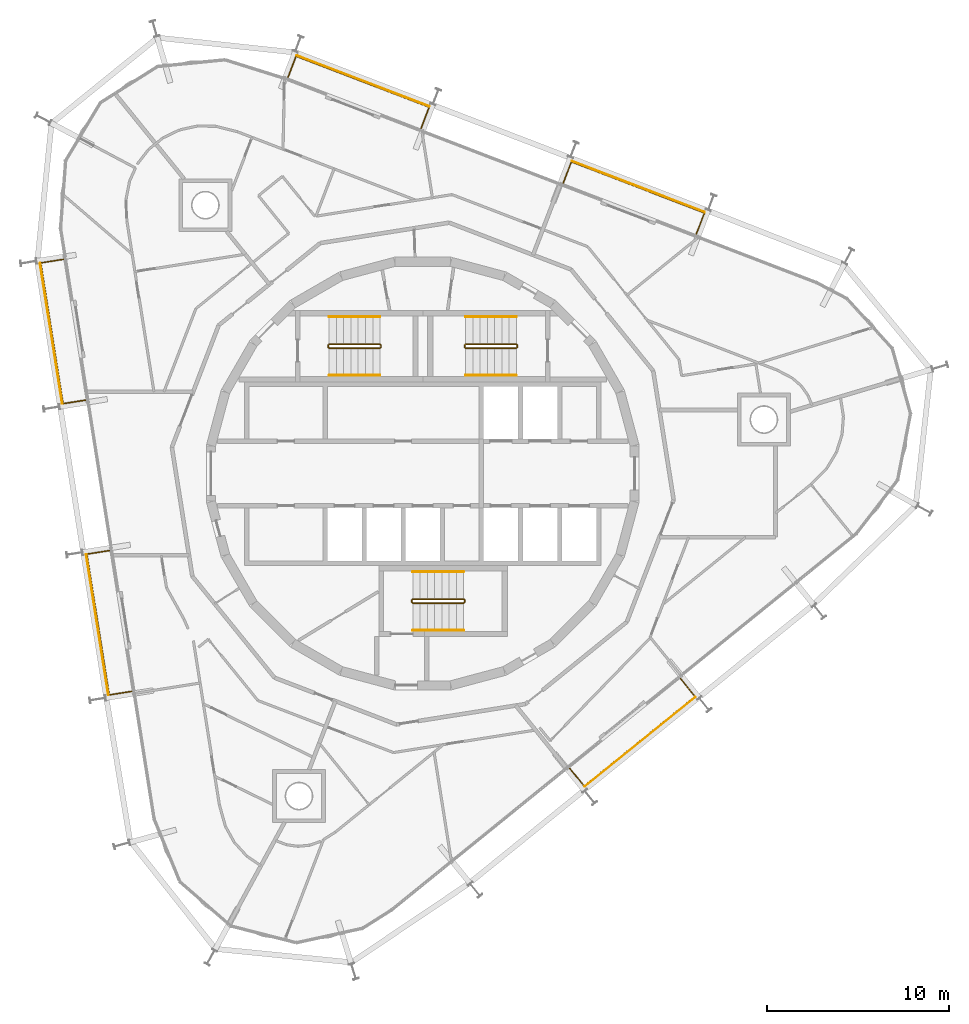
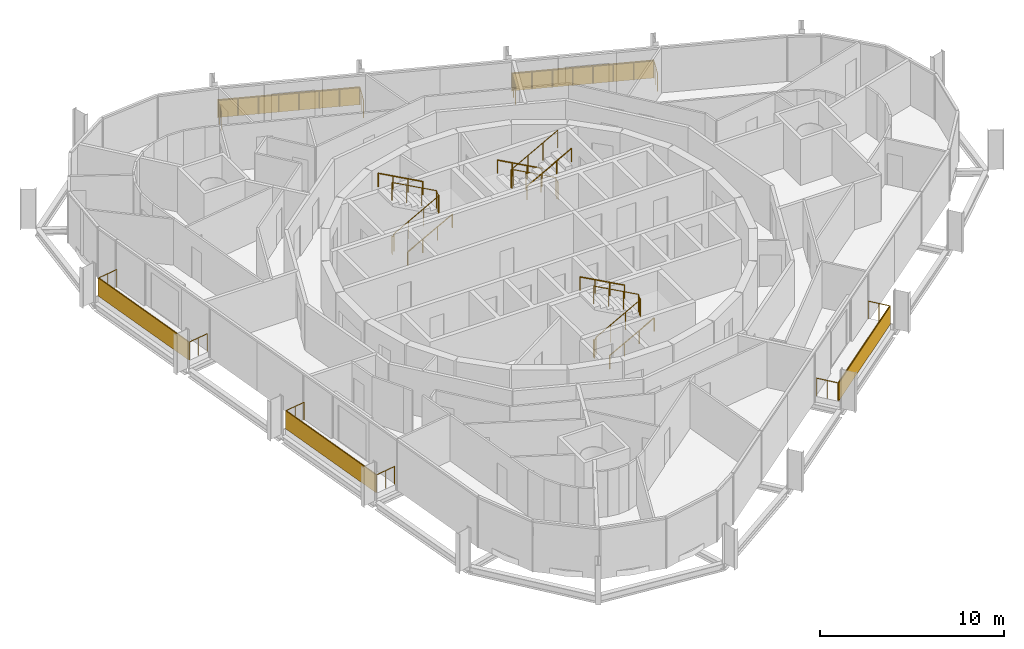
# One storey, part 17 of 17: 14 railings, 5 shading devices.
"""IFC4 building model written with IfcOpenShell, lengths in metres."""

from ifc_helpers import new_model, si_unit, direction, frame, origin, origin_2d, place, context, subcontext, project, spatial, rectangle, circle, extrude, material, layer, layer_set, type_object, element, save


model = new_model("IFC4")

# Units and contexts
model_context = context("Model", 3, precision=1e-05, world=origin(), true_north=direction((0.0, 1.0)))
body_context = subcontext(model_context, "Body", "Model", "MODEL_VIEW")
ifc_project = project(units=[si_unit("LENGTHUNIT", "METRE"), si_unit("AREAUNIT", "SQUARE_METRE"), si_unit("VOLUMEUNIT", "CUBIC_METRE"), si_unit("PLANEANGLEUNIT", "RADIAN"), si_unit("MASSUNIT", "GRAM", prefix="KILO")], contexts=[model_context])

# Site, building, storey
site_placement = place(None, origin())
site = spatial("IfcSite", under=ifc_project, at=site_placement, CompositionType="ELEMENT")
building_placement = place(site_placement, origin())
building = spatial("IfcBuilding", under=site, at=building_placement, Name="Spindle Arch Residences", CompositionType="ELEMENT")
storey_placement = place(building_placement, frame((0.0, 0.0, 287.89990234375)))
storey = spatial("IfcBuildingStorey", under=building, at=storey_placement, Name="L74", CompositionType="ELEMENT", Elevation=287.89990234375)

# Railings
ifc_material_1 = material(Name="Bronze anodised aluminium guard with glass infill", Category="aluminium")
railing_type_1 = type_object("IfcRailingType", Name="Balcony guard 1200", PredefinedType="GUARDRAIL", material=ifc_material_1)
railing_1_placement = place(storey_placement, frame((15.04296875, 13.17041015625, 0.0)))
element("IfcRailing", 1, at=railing_1_placement, inside=storey, type_object=railing_type_1, Name="Guard L74 bay 6", PredefinedType="GUARDRAIL", context=body_context, shape_type="SweptSolid", body=[
    extrude(circle(Radius=0.02392578125, at=origin_2d()), frame((0.0, 0.0, 1.17578125), z_axis=(0.358219824021, 0.933637273077, 0.0), x_axis=(-0.933637273077, 0.358219824021, 0.0)), (0.0, 0.0, 1.0), 1.25),
    extrude(circle(Radius=0.02392578125, at=origin_2d()), frame((0.44775390625, 1.1669921875, 1.17578125), z_axis=(-0.933574226738, 0.358384100054, 0.0), x_axis=(-0.358384100054, -0.933574226738, 0.0)), (0.0, 0.0, 1.0), 7.83740234375),
    extrude(circle(Radius=0.02392578125, at=origin_2d()), frame((-6.869140625, 3.975830078125, 1.17578125), z_axis=(-0.358390063807, -0.933571937327, 0.0), x_axis=(0.933571937327, -0.358390063807, 0.0)), (0.0, 0.0, 1.0), 1.25),
    extrude(circle(Radius=0.02099609375, at=origin_2d()), origin(), (0.0, 0.0, 1.0), 1.15185546875),
    extrude(circle(Radius=0.02099609375, at=origin_2d()), frame((0.223876953125, 0.58349609375, 0.0)), (0.0, 0.0, 1.0), 1.15185546875),
    extrude(circle(Radius=0.02099609375, at=origin_2d()), frame((0.44775390625, 1.1669921875, 0.0)), (0.0, 0.0, 1.0), 1.15185546875),
    extrude(circle(Radius=0.02099609375, at=origin_2d()), frame((-0.597412109375, 1.568359375, 0.0)), (0.0, 0.0, 1.0), 1.15185546875),
    extrude(circle(Radius=0.02099609375, at=origin_2d()), frame((-1.642822265625, 1.969482421875, 0.0)), (0.0, 0.0, 1.0), 1.15185546875),
    extrude(circle(Radius=0.02099609375, at=origin_2d()), frame((-2.68798828125, 2.370849609375, 0.0)), (0.0, 0.0, 1.0), 1.15185546875),
    extrude(circle(Radius=0.02099609375, at=origin_2d()), frame((-3.7333984375, 2.77197265625, 0.0)), (0.0, 0.0, 1.0), 1.15185546875),
    extrude(circle(Radius=0.02099609375, at=origin_2d()), frame((-4.778564453125, 3.17333984375, 0.0)), (0.0, 0.0, 1.0), 1.15185546875),
    extrude(circle(Radius=0.02099609375, at=origin_2d()), frame((-5.823974609375, 3.574462890625, 0.0)), (0.0, 0.0, 1.0), 1.15185546875),
    extrude(circle(Radius=0.02099609375, at=origin_2d()), frame((-6.869140625, 3.975830078125, 0.0)), (0.0, 0.0, 1.0), 1.15185546875),
    extrude(circle(Radius=0.02099609375, at=origin_2d()), frame((-7.09326171875, 3.392333984375, 0.0)), (0.0, 0.0, 1.0), 1.15185546875),
    extrude(circle(Radius=0.02099609375, at=origin_2d()), frame((-7.317138671875, 2.808837890625, 0.0)), (0.0, 0.0, 1.0), 1.15185546875),
])
railing_2_placement = place(storey_placement, frame((-0.09521484375, 18.9814453125, 0.0)))
element("IfcRailing", 2, at=railing_2_placement, inside=storey, type_object=railing_type_1, Name="Guard L74 bay 8", PredefinedType="GUARDRAIL", context=body_context, shape_type="SweptSolid", body=[
    extrude(circle(Radius=0.02392578125, at=origin_2d()), frame((0.0, 0.0, 1.17578125), z_axis=(0.358390063807, 0.933571937327, 0.0), x_axis=(-0.933571937327, 0.358390063807, 0.0)), (0.0, 0.0, 1.0), 1.25),
    extrude(circle(Radius=0.02392578125, at=origin_2d()), frame((0.447998046875, 1.1669921875, 1.17578125), z_axis=(-0.93357822748, 0.358373678128, 0.0), x_axis=(-0.358373678128, -0.93357822748, 0.0)), (0.0, 0.0, 1.0), 7.837646484375),
    extrude(circle(Radius=0.02392578125, at=origin_2d()), frame((-6.869140625, 3.975830078125, 1.17578125), z_axis=(-0.358390063807, -0.933571937327, 0.0), x_axis=(0.933571937327, -0.358390063807, 0.0)), (0.0, 0.0, 1.0), 1.25),
    extrude(circle(Radius=0.02099609375, at=origin_2d()), origin(), (0.0, 0.0, 1.0), 1.15185546875),
    extrude(circle(Radius=0.02099609375, at=origin_2d()), frame((0.22412109375, 0.58349609375, 0.0)), (0.0, 0.0, 1.0), 1.15185546875),
    extrude(circle(Radius=0.02099609375, at=origin_2d()), frame((0.447998046875, 1.1669921875, 0.0)), (0.0, 0.0, 1.0), 1.15185546875),
    extrude(circle(Radius=0.02099609375, at=origin_2d()), frame((-0.597412109375, 1.568359375, 0.0)), (0.0, 0.0, 1.0), 1.15185546875),
    extrude(circle(Radius=0.02099609375, at=origin_2d()), frame((-1.642578125, 1.969482421875, 0.0)), (0.0, 0.0, 1.0), 1.15185546875),
    extrude(circle(Radius=0.02099609375, at=origin_2d()), frame((-2.68798828125, 2.370849609375, 0.0)), (0.0, 0.0, 1.0), 1.15185546875),
    extrude(circle(Radius=0.02099609375, at=origin_2d()), frame((-3.733154296875, 2.77197265625, 0.0)), (0.0, 0.0, 1.0), 1.15185546875),
    extrude(circle(Radius=0.02099609375, at=origin_2d()), frame((-4.778564453125, 3.17333984375, 0.0)), (0.0, 0.0, 1.0), 1.15185546875),
    extrude(circle(Radius=0.02099609375, at=origin_2d()), frame((-5.82373046875, 3.574462890625, 0.0)), (0.0, 0.0, 1.0), 1.15185546875),
    extrude(circle(Radius=0.02099609375, at=origin_2d()), frame((-6.869140625, 3.975830078125, 0.0)), (0.0, 0.0, 1.0), 1.15185546875),
    extrude(circle(Radius=0.02099609375, at=origin_2d()), frame((-7.09326171875, 3.392333984375, 0.0)), (0.0, 0.0, 1.0), 1.15185546875),
    extrude(circle(Radius=0.02099609375, at=origin_2d()), frame((-7.317138671875, 2.808837890625, 0.0)), (0.0, 0.0, 1.0), 1.15185546875),
])
railing_3_placement = place(storey_placement, frame((-19.77294921875, 11.78076171875, 0.0)))
element("IfcRailing", 3, at=railing_3_placement, inside=storey, type_object=railing_type_1, Name="Guard L74 bay 12", PredefinedType="GUARDRAIL", context=body_context, shape_type="SweptSolid", body=[
    extrude(circle(Radius=0.02392578125, at=origin_2d()), frame((0.0, 0.0, 1.17578125), z_axis=(-0.987686835152, -0.156443969736, 0.0), x_axis=(0.156443969736, -0.987686835152, 0.0)), (0.0, 0.0, 1.0), 1.25),
    extrude(circle(Radius=0.02392578125, at=origin_2d()), frame((-1.234619140625, -0.195556640625, 1.17578125), z_axis=(0.156437642141, -0.987687837387, 0.0), x_axis=(0.987687837387, 0.156437642141, 0.0)), (0.0, 0.0, 1.0), 7.83740234375),
    extrude(circle(Radius=0.02392578125, at=origin_2d()), frame((-0.008544921875, -7.9365234375, 1.17578125), z_axis=(0.987686835152, 0.156443969736, 0.0), x_axis=(-0.156443969736, 0.987686835152, 0.0)), (0.0, 0.0, 1.0), 1.25),
    extrude(circle(Radius=0.02099609375, at=origin_2d()), origin(), (0.0, 0.0, 1.0), 1.15185546875),
    extrude(circle(Radius=0.02099609375, at=origin_2d()), frame((-0.6171875, -0.09765625, 0.0)), (0.0, 0.0, 1.0), 1.15185546875),
    extrude(circle(Radius=0.02099609375, at=origin_2d()), frame((-1.234619140625, -0.195556640625, 0.0)), (0.0, 0.0, 1.0), 1.15185546875),
    extrude(circle(Radius=0.02099609375, at=origin_2d()), frame((-1.0595703125, -1.301513671875, 0.0)), (0.0, 0.0, 1.0), 1.15185546875),
    extrude(circle(Radius=0.02099609375, at=origin_2d()), frame((-0.88427734375, -2.4072265625, 0.0)), (0.0, 0.0, 1.0), 1.15185546875),
    extrude(circle(Radius=0.02099609375, at=origin_2d()), frame((-0.709228515625, -3.51318359375, 0.0)), (0.0, 0.0, 1.0), 1.15185546875),
    extrude(circle(Radius=0.02099609375, at=origin_2d()), frame((-0.533935546875, -4.618896484375, 0.0)), (0.0, 0.0, 1.0), 1.15185546875),
    extrude(circle(Radius=0.02099609375, at=origin_2d()), frame((-0.35888671875, -5.724853515625, 0.0)), (0.0, 0.0, 1.0), 1.15185546875),
    extrude(circle(Radius=0.02099609375, at=origin_2d()), frame((-0.18359375, -6.83056640625, 0.0)), (0.0, 0.0, 1.0), 1.15185546875),
    extrude(circle(Radius=0.02099609375, at=origin_2d()), frame((-0.008544921875, -7.9365234375, 0.0)), (0.0, 0.0, 1.0), 1.15185546875),
    extrude(circle(Radius=0.02099609375, at=origin_2d()), frame((0.60888671875, -7.8388671875, 0.0)), (0.0, 0.0, 1.0), 1.15185546875),
    extrude(circle(Radius=0.02099609375, at=origin_2d()), frame((1.22607421875, -7.740966796875, 0.0)), (0.0, 0.0, 1.0), 1.15185546875),
])
railing_4_placement = place(storey_placement, frame((-17.236328125, -4.23486328125, 0.0)))
element("IfcRailing", 4, at=railing_4_placement, inside=storey, type_object=railing_type_1, Name="Guard L74 bay 14", PredefinedType="GUARDRAIL", context=body_context, shape_type="SweptSolid", body=[
    extrude(circle(Radius=0.02392578125, at=origin_2d()), frame((0.0, 0.0, 1.17578125), z_axis=(-0.987686835152, -0.156443969736, 0.0), x_axis=(0.156443969736, -0.987686835152, 0.0)), (0.0, 0.0, 1.0), 1.25),
    extrude(circle(Radius=0.02392578125, at=origin_2d()), frame((-1.234619140625, -0.195556640625, 1.17578125), z_axis=(0.156437642141, -0.987687837387, 0.0), x_axis=(0.987687837387, 0.156437642141, 0.0)), (0.0, 0.0, 1.0), 7.83740234375),
    extrude(circle(Radius=0.02392578125, at=origin_2d()), frame((-0.008544921875, -7.9365234375, 1.17578125), z_axis=(0.987686835152, 0.156443969736, 0.0), x_axis=(-0.156443969736, 0.987686835152, 0.0)), (0.0, 0.0, 1.0), 1.25),
    extrude(circle(Radius=0.02099609375, at=origin_2d()), origin(), (0.0, 0.0, 1.0), 1.15185546875),
    extrude(circle(Radius=0.02099609375, at=origin_2d()), frame((-0.6171875, -0.09765625, 0.0)), (0.0, 0.0, 1.0), 1.15185546875),
    extrude(circle(Radius=0.02099609375, at=origin_2d()), frame((-1.234619140625, -0.195556640625, 0.0)), (0.0, 0.0, 1.0), 1.15185546875),
    extrude(circle(Radius=0.02099609375, at=origin_2d()), frame((-1.0595703125, -1.301513671875, 0.0)), (0.0, 0.0, 1.0), 1.15185546875),
    extrude(circle(Radius=0.02099609375, at=origin_2d()), frame((-0.88427734375, -2.4072265625, 0.0)), (0.0, 0.0, 1.0), 1.15185546875),
    extrude(circle(Radius=0.02099609375, at=origin_2d()), frame((-0.709228515625, -3.51318359375, 0.0)), (0.0, 0.0, 1.0), 1.15185546875),
    extrude(circle(Radius=0.02099609375, at=origin_2d()), frame((-0.533935546875, -4.618896484375, 0.0)), (0.0, 0.0, 1.0), 1.15185546875),
    extrude(circle(Radius=0.02099609375, at=origin_2d()), frame((-0.35888671875, -5.724853515625, 0.0)), (0.0, 0.0, 1.0), 1.15185546875),
    extrude(circle(Radius=0.02099609375, at=origin_2d()), frame((-0.18359375, -6.83056640625, 0.0)), (0.0, 0.0, 1.0), 1.15185546875),
    extrude(circle(Radius=0.02099609375, at=origin_2d()), frame((-0.008544921875, -7.9365234375, 0.0)), (0.0, 0.0, 1.0), 1.15185546875),
    extrude(circle(Radius=0.02099609375, at=origin_2d()), frame((0.60888671875, -7.8388671875, 0.0)), (0.0, 0.0, 1.0), 1.15185546875),
    extrude(circle(Radius=0.02099609375, at=origin_2d()), frame((1.22607421875, -7.740966796875, 0.0)), (0.0, 0.0, 1.0), 1.15185546875),
])
railing_5_placement = place(storey_placement, frame((8.0849609375, -16.211181640625, 0.0)))
element("IfcRailing", 5, at=railing_5_placement, inside=storey, type_object=railing_type_1, Name="Guard L74 bay 20", PredefinedType="GUARDRAIL", context=body_context, shape_type="SweptSolid", body=[
    extrude(circle(Radius=0.02392578125, at=origin_2d()), frame((0.0, 0.0, 1.17578125), z_axis=(0.629422920791, -0.77706292331, 0.0), x_axis=(0.77706292331, 0.629422920791, 0.0)), (0.0, 0.0, 1.0), 1.250244140625),
    extrude(circle(Radius=0.02392578125, at=origin_2d()), frame((0.786865234375, -0.971435546875, 1.17578125), z_axis=(0.777138223033, 0.629329947087, 0.0), x_axis=(-0.629329947087, 0.777138223033, 0.0)), (0.0, 0.0, 1.0), 7.83740234375),
    extrude(circle(Radius=0.02392578125, at=origin_2d()), frame((6.877685546875, 3.9609375, 1.17578125), z_axis=(-0.629304977104, 0.777158443171, 0.0), x_axis=(-0.777158443171, -0.629304977104, 0.0)), (0.0, 0.0, 1.0), 1.25),
    extrude(circle(Radius=0.02099609375, at=origin_2d()), origin(), (0.0, 0.0, 1.0), 1.15185546875),
    extrude(circle(Radius=0.02099609375, at=origin_2d()), frame((0.3935546875, -0.48583984375, 0.0)), (0.0, 0.0, 1.0), 1.15185546875),
    extrude(circle(Radius=0.02099609375, at=origin_2d()), frame((0.786865234375, -0.971435546875, 0.0)), (0.0, 0.0, 1.0), 1.15185546875),
    extrude(circle(Radius=0.02099609375, at=origin_2d()), frame((1.656982421875, -0.266845703125, 0.0)), (0.0, 0.0, 1.0), 1.15185546875),
    extrude(circle(Radius=0.02099609375, at=origin_2d()), frame((2.527099609375, 0.437744140625, 0.0)), (0.0, 0.0, 1.0), 1.15185546875),
    extrude(circle(Radius=0.02099609375, at=origin_2d()), frame((3.397216796875, 1.142333984375, 0.0)), (0.0, 0.0, 1.0), 1.15185546875),
    extrude(circle(Radius=0.02099609375, at=origin_2d()), frame((4.267333984375, 1.84716796875, 0.0)), (0.0, 0.0, 1.0), 1.15185546875),
    extrude(circle(Radius=0.02099609375, at=origin_2d()), frame((5.137451171875, 2.5517578125, 0.0)), (0.0, 0.0, 1.0), 1.15185546875),
    extrude(circle(Radius=0.02099609375, at=origin_2d()), frame((6.007568359375, 3.25634765625, 0.0)), (0.0, 0.0, 1.0), 1.15185546875),
    extrude(circle(Radius=0.02099609375, at=origin_2d()), frame((6.877685546875, 3.9609375, 0.0)), (0.0, 0.0, 1.0), 1.15185546875),
    extrude(circle(Radius=0.02099609375, at=origin_2d()), frame((6.484375, 4.44677734375, 0.0)), (0.0, 0.0, 1.0), 1.15185546875),
    extrude(circle(Radius=0.02099609375, at=origin_2d()), frame((6.091064453125, 4.932373046875, 0.0)), (0.0, 0.0, 1.0), 1.15185546875),
])

# Shading devices
ifc_material_2 = material(Name="Bronze perforated cobogo screen")
ifc_layer = layer(ifc_material_2, 0.0390625)
ifc_layer_set = layer_set([ifc_layer], Name="Cobogo screen 1200")
shading_device_type = type_object("IfcShadingDeviceType", Name="Cobogo screen 1200", PredefinedType="USERDEFINED", material=ifc_layer_set)
for number, where, z_axis, x_axis, name in (
    (6, (11.846923828125, 15.779541015625, 0.0), (0.0, 0.0, 1.0), (-0.933580426497, 0.358367949545, 0.0), "Cobogo screen L74 bay 6"),
    (7, (-3.291259765625, 21.590576171875, 0.0), (0.0, 0.0, 1.0), (-0.933580426497, 0.358367949545, 0.0), "Cobogo screen L74 bay 8"),
    (8, (-20.4345703125, 7.708251953125, 0.0), (0.0, 0.0, 1.0), (0.15643446504, -0.987688340595, 0.0), "Cobogo screen L74 bay 12"),
    (9, (-17.89794921875, -8.30712890625, 0.0), (0.0, 0.0, 1.0), (0.15643446504, -0.987688340595, 0.0), "Cobogo screen L74 bay 14"),
    (10, (11.942626953125, -14.748046875, 0.0), (0.0, 0.0, 1.0), (0.777145961457, 0.62932039105, 0.0), "Cobogo screen L74 bay 20"),
):
    element("IfcShadingDevice", number, at=place(storey_placement, frame(where, z_axis=z_axis, x_axis=x_axis)), inside=storey, type_object=shading_device_type, Name=name, ObjectType="SCREEN", PredefinedType="USERDEFINED", context=body_context, shape_type="SweptSolid", body=[
        extrude(rectangle(XDim=7.837646484375, YDim=0.0390625, at=origin_2d()), origin(), (0.0, 0.0, 1.0), 1.199951171875),
    ])

# Railings
ifc_material_3 = material(Name="Steel, painted", Category="steel")
railing_type_2 = type_object("IfcRailingType", Name="Stair guard 1100", PredefinedType="GUARDRAIL", material=ifc_material_3)
railing_6_placement = place(storey_placement, frame((5.14990234375, 6.89990234375, 3.5)))
element("IfcRailing", 11, at=railing_6_placement, inside=storey, type_object=railing_type_2, Name="L74 ST1 stair guard 1", PredefinedType="GUARDRAIL", context=body_context, shape_type="SweptSolid", body=[
    extrude(circle(Radius=0.02392578125, at=origin_2d()), frame((0.0, 0.0, 1.17578125), z_axis=(-0.877357048833, 0.0, -0.479838106931), x_axis=(0.0, -1.0, 0.0)), (0.0, 0.0, 1.0), 3.191162109375),
    extrude(circle(Radius=0.02392578125, at=origin_2d()), frame((-2.7998046875, 0.0, -0.35546875), z_axis=(-0.217683172539, 0.217683172539, -0.951434744366), x_axis=(-0.707106781187, -0.707106781187, 0.0)), (0.0, 0.0, 1.0), 0.22998046875),
    extrude(circle(Radius=0.02392578125, at=origin_2d()), frame((-2.849853515625, 0.050048828125, -0.57421875), z_axis=(0.0, 1.0, 0.0), x_axis=(-1.0, 0.0, 0.0)), (0.0, 0.0, 1.0), 0.1201171875),
    extrude(circle(Radius=0.02392578125, at=origin_2d()), frame((-2.849853515625, 0.170166015625, -0.57421875), z_axis=(0.707106781187, 0.707106781187, 0.0), x_axis=(-0.707106781187, 0.707106781187, 0.0)), (0.0, 0.0, 1.0), 0.07080078125),
    extrude(circle(Radius=0.02392578125, at=origin_2d()), frame((-2.7998046875, 0.22021484375, -0.57421875), z_axis=(0.877357048833, 0.0, -0.479838106931), x_axis=(0.0, 1.0, 0.0)), (0.0, 0.0, 1.0), 3.191162109375),
    extrude(circle(Radius=0.02392578125, at=origin_2d()), frame((0.0, 0.22021484375, -2.10546875), z_axis=(0.217683172539, -0.217683172539, -0.951434744366), x_axis=(0.707106781187, 0.707106781187, 0.0)), (0.0, 0.0, 1.0), 0.22998046875),
    extrude(circle(Radius=0.02392578125, at=origin_2d()), frame((0.050048828125, 0.170166015625, -2.32421875), z_axis=(0.0, -1.0, 0.0), x_axis=(1.0, 0.0, 0.0)), (0.0, 0.0, 1.0), 0.1201171875),
    extrude(circle(Radius=0.02099609375, at=origin_2d()), origin(), (0.0, 0.0, 1.0), 1.15185546875),
    extrude(circle(Radius=0.02099609375, at=origin_2d()), frame((-0.933349609375, 0.0, -0.510498046875)), (0.0, 0.0, 1.0), 1.15185546875),
    extrude(circle(Radius=0.02099609375, at=origin_2d()), frame((-1.866455078125, 0.0, -1.020751953125)), (0.0, 0.0, 1.0), 1.15185546875),
    extrude(circle(Radius=0.02099609375, at=origin_2d()), frame((-2.7998046875, 0.0, -1.53125)), (0.0, 0.0, 1.0), 1.15185546875),
    extrude(circle(Radius=0.02099609375, at=origin_2d()), frame((-2.849853515625, 0.050048828125, -1.75)), (0.0, 0.0, 1.0), 1.15185546875),
    extrude(circle(Radius=0.02099609375, at=origin_2d()), frame((-2.849853515625, 0.170166015625, -1.75)), (0.0, 0.0, 1.0), 1.15185546875),
    extrude(circle(Radius=0.02099609375, at=origin_2d()), frame((-2.7998046875, 0.22021484375, -1.75)), (0.0, 0.0, 1.0), 1.15185546875),
    extrude(circle(Radius=0.02099609375, at=origin_2d()), frame((-1.866455078125, 0.22021484375, -2.260498046875)), (0.0, 0.0, 1.0), 1.15185546875),
    extrude(circle(Radius=0.02099609375, at=origin_2d()), frame((-0.933349609375, 0.22021484375, -2.770751953125)), (0.0, 0.0, 1.0), 1.15185546875),
    extrude(circle(Radius=0.02099609375, at=origin_2d()), frame((0.0, 0.22021484375, -3.28125)), (0.0, 0.0, 1.0), 1.15185546875),
    extrude(circle(Radius=0.02099609375, at=origin_2d()), frame((0.050048828125, 0.170166015625, -3.5)), (0.0, 0.0, 1.0), 1.15185546875),
    extrude(circle(Radius=0.02099609375, at=origin_2d()), frame((0.050048828125, 0.050048828125, -3.5)), (0.0, 0.0, 1.0), 1.15185546875),
])
railing_7_placement = place(storey_placement, frame((-5.14990234375, 7.1201171875, 3.5)))
element("IfcRailing", 12, at=railing_7_placement, inside=storey, type_object=railing_type_2, Name="L74 ST2 stair guard 1", PredefinedType="GUARDRAIL", context=body_context, shape_type="SweptSolid", body=[
    extrude(circle(Radius=0.02392578125, at=origin_2d()), frame((0.0, 0.0, 1.17578125), z_axis=(0.877357048833, 0.0, -0.479838106931), x_axis=(0.0, 1.0, 0.0)), (0.0, 0.0, 1.0), 3.191162109375),
    extrude(circle(Radius=0.02392578125, at=origin_2d()), frame((2.7998046875, 0.0, -0.35546875), z_axis=(0.217683172539, -0.217683172539, -0.951434744366), x_axis=(0.707106781187, 0.707106781187, 0.0)), (0.0, 0.0, 1.0), 0.22998046875),
    extrude(circle(Radius=0.02392578125, at=origin_2d()), frame((2.849853515625, -0.050048828125, -0.57421875), z_axis=(0.0, -1.0, 0.0), x_axis=(1.0, 0.0, 0.0)), (0.0, 0.0, 1.0), 0.1201171875),
    extrude(circle(Radius=0.02392578125, at=origin_2d()), frame((2.849853515625, -0.170166015625, -0.57421875), z_axis=(-0.707106781187, -0.707106781187, 0.0), x_axis=(0.707106781187, -0.707106781187, 0.0)), (0.0, 0.0, 1.0), 0.07080078125),
    extrude(circle(Radius=0.02392578125, at=origin_2d()), frame((2.7998046875, -0.22021484375, -0.57421875), z_axis=(-0.877357048833, 0.0, -0.479838106931), x_axis=(0.0, -1.0, 0.0)), (0.0, 0.0, 1.0), 3.191162109375),
    extrude(circle(Radius=0.02392578125, at=origin_2d()), frame((0.0, -0.22021484375, -2.10546875), z_axis=(-0.217683172539, 0.217683172539, -0.951434744366), x_axis=(-0.707106781187, -0.707106781187, 0.0)), (0.0, 0.0, 1.0), 0.22998046875),
    extrude(circle(Radius=0.02392578125, at=origin_2d()), frame((-0.050048828125, -0.170166015625, -2.32421875), z_axis=(0.0, 1.0, 0.0), x_axis=(-1.0, 0.0, 0.0)), (0.0, 0.0, 1.0), 0.1201171875),
    extrude(circle(Radius=0.02099609375, at=origin_2d()), origin(), (0.0, 0.0, 1.0), 1.15185546875),
    extrude(circle(Radius=0.02099609375, at=origin_2d()), frame((0.933349609375, 0.0, -0.510498046875)), (0.0, 0.0, 1.0), 1.15185546875),
    extrude(circle(Radius=0.02099609375, at=origin_2d()), frame((1.866455078125, 0.0, -1.020751953125)), (0.0, 0.0, 1.0), 1.15185546875),
    extrude(circle(Radius=0.02099609375, at=origin_2d()), frame((2.7998046875, 0.0, -1.53125)), (0.0, 0.0, 1.0), 1.15185546875),
    extrude(circle(Radius=0.02099609375, at=origin_2d()), frame((2.849853515625, -0.050048828125, -1.75)), (0.0, 0.0, 1.0), 1.15185546875),
    extrude(circle(Radius=0.02099609375, at=origin_2d()), frame((2.849853515625, -0.170166015625, -1.75)), (0.0, 0.0, 1.0), 1.15185546875),
    extrude(circle(Radius=0.02099609375, at=origin_2d()), frame((2.7998046875, -0.22021484375, -1.75)), (0.0, 0.0, 1.0), 1.15185546875),
    extrude(circle(Radius=0.02099609375, at=origin_2d()), frame((1.866455078125, -0.22021484375, -2.260498046875)), (0.0, 0.0, 1.0), 1.15185546875),
    extrude(circle(Radius=0.02099609375, at=origin_2d()), frame((0.933349609375, -0.22021484375, -2.770751953125)), (0.0, 0.0, 1.0), 1.15185546875),
    extrude(circle(Radius=0.02099609375, at=origin_2d()), frame((0.0, -0.22021484375, -3.28125)), (0.0, 0.0, 1.0), 1.15185546875),
    extrude(circle(Radius=0.02099609375, at=origin_2d()), frame((-0.050048828125, -0.170166015625, -3.5)), (0.0, 0.0, 1.0), 1.15185546875),
    extrude(circle(Radius=0.02099609375, at=origin_2d()), frame((-0.050048828125, -0.050048828125, -3.5)), (0.0, 0.0, 1.0), 1.15185546875),
])
railing_8_placement = place(storey_placement, frame((-0.550048828125, -6.89990234375, 3.5)))
element("IfcRailing", 13, at=railing_8_placement, inside=storey, type_object=railing_type_2, Name="L74 ST3 stair guard 1", PredefinedType="GUARDRAIL", context=body_context, shape_type="SweptSolid", body=[
    extrude(circle(Radius=0.02392578125, at=origin_2d()), frame((0.0, 0.0, 1.17578125), z_axis=(0.877374661878, 0.0, -0.479805901063), x_axis=(0.0, 1.0, 0.0)), (0.0, 0.0, 1.0), 3.19140625),
    extrude(circle(Radius=0.02392578125, at=origin_2d()), frame((2.800048828125, 0.0, -0.35546875), z_axis=(0.217683172539, -0.217683172539, -0.951434744366), x_axis=(0.707106781187, 0.707106781187, 0.0)), (0.0, 0.0, 1.0), 0.22998046875),
    extrude(circle(Radius=0.02392578125, at=origin_2d()), frame((2.85009765625, -0.050048828125, -0.57421875), z_axis=(0.0, -1.0, 0.0), x_axis=(1.0, 0.0, 0.0)), (0.0, 0.0, 1.0), 0.1201171875),
    extrude(circle(Radius=0.02392578125, at=origin_2d()), frame((2.85009765625, -0.170166015625, -0.57421875), z_axis=(-0.707106781187, -0.707106781187, 0.0), x_axis=(0.707106781187, -0.707106781187, 0.0)), (0.0, 0.0, 1.0), 0.07080078125),
    extrude(circle(Radius=0.02392578125, at=origin_2d()), frame((2.800048828125, -0.22021484375, -0.57421875), z_axis=(-0.877374661878, 0.0, -0.479805901063), x_axis=(0.0, -1.0, 0.0)), (0.0, 0.0, 1.0), 3.19140625),
    extrude(circle(Radius=0.02392578125, at=origin_2d()), frame((0.0, -0.22021484375, -2.10546875), z_axis=(-0.217683172539, 0.217683172539, -0.951434744366), x_axis=(-0.707106781187, -0.707106781187, 0.0)), (0.0, 0.0, 1.0), 0.22998046875),
    extrude(circle(Radius=0.02392578125, at=origin_2d()), frame((-0.050048828125, -0.170166015625, -2.32421875), z_axis=(0.0, 1.0, 0.0), x_axis=(-1.0, 0.0, 0.0)), (0.0, 0.0, 1.0), 0.1201171875),
    extrude(circle(Radius=0.02099609375, at=origin_2d()), origin(), (0.0, 0.0, 1.0), 1.15185546875),
    extrude(circle(Radius=0.02099609375, at=origin_2d()), frame((0.933349609375, 0.0, -0.510498046875)), (0.0, 0.0, 1.0), 1.15185546875),
    extrude(circle(Radius=0.02099609375, at=origin_2d()), frame((1.86669921875, 0.0, -1.020751953125)), (0.0, 0.0, 1.0), 1.15185546875),
    extrude(circle(Radius=0.02099609375, at=origin_2d()), frame((2.800048828125, 0.0, -1.53125)), (0.0, 0.0, 1.0), 1.15185546875),
    extrude(circle(Radius=0.02099609375, at=origin_2d()), frame((2.85009765625, -0.050048828125, -1.75)), (0.0, 0.0, 1.0), 1.15185546875),
    extrude(circle(Radius=0.02099609375, at=origin_2d()), frame((2.85009765625, -0.170166015625, -1.75)), (0.0, 0.0, 1.0), 1.15185546875),
    extrude(circle(Radius=0.02099609375, at=origin_2d()), frame((2.800048828125, -0.22021484375, -1.75)), (0.0, 0.0, 1.0), 1.15185546875),
    extrude(circle(Radius=0.02099609375, at=origin_2d()), frame((1.86669921875, -0.22021484375, -2.260498046875)), (0.0, 0.0, 1.0), 1.15185546875),
    extrude(circle(Radius=0.02099609375, at=origin_2d()), frame((0.933349609375, -0.22021484375, -2.770751953125)), (0.0, 0.0, 1.0), 1.15185546875),
    extrude(circle(Radius=0.02099609375, at=origin_2d()), frame((0.0, -0.22021484375, -3.28125)), (0.0, 0.0, 1.0), 1.15185546875),
    extrude(circle(Radius=0.02099609375, at=origin_2d()), frame((-0.050048828125, -0.170166015625, -3.5)), (0.0, 0.0, 1.0), 1.15185546875),
    extrude(circle(Radius=0.02099609375, at=origin_2d()), frame((-0.050048828125, -0.050048828125, -3.5)), (0.0, 0.0, 1.0), 1.15185546875),
])
ifc_material_4 = material(Name="Steel, painted", Category="steel")
railing_type_3 = type_object("IfcRailingType", Name="Stair handrail 900", PredefinedType="HANDRAIL", material=ifc_material_4)
railing_9_placement = place(storey_placement, frame((5.14990234375, 8.6201171875, 0.21875)))
element("IfcRailing", 14, at=railing_9_placement, inside=storey, type_object=railing_type_3, Name="L74 ST1 stair handrail 1", PredefinedType="HANDRAIL", context=body_context, shape_type="SweptSolid", body=[
    extrude(circle(Radius=0.02392578125, at=origin_2d()), frame((0.0, 0.0, 0.8759765625), z_axis=(-0.877357048833, 0.0, 0.479838106931), x_axis=(0.0, -1.0, 0.0)), (0.0, 0.0, 1.0), 3.191162109375),
    extrude(circle(Radius=0.02099609375, at=origin_2d()), origin(), (0.0, 0.0, 1.0), 0.851806640625),
    extrude(circle(Radius=0.02099609375, at=origin_2d()), frame((-0.933349609375, 0.0, 0.510498046875)), (0.0, 0.0, 1.0), 0.851806640625),
    extrude(circle(Radius=0.02099609375, at=origin_2d()), frame((-1.866455078125, 0.0, 1.020751953125)), (0.0, 0.0, 1.0), 0.851806640625),
    extrude(circle(Radius=0.02099609375, at=origin_2d()), frame((-2.7998046875, 0.0, 1.53125)), (0.0, 0.0, 1.0), 0.851806640625),
])
for number, where, name in (
    (15, (2.35009765625, 5.39990234375, 1.96875), "L74 ST1 stair handrail 2"),
    (16, (-5.14990234375, 5.39990234375, 0.21875), "L74 ST2 stair handrail 1"),
):
    element("IfcRailing", number, at=place(storey_placement, frame(where)), inside=storey, type_object=railing_type_3, Name=name, PredefinedType="HANDRAIL", context=body_context, shape_type="SweptSolid", body=[
        extrude(circle(Radius=0.02392578125, at=origin_2d()), frame((0.0, 0.0, 0.8759765625), z_axis=(0.877357048833, 0.0, 0.479838106931), x_axis=(0.0, 1.0, 0.0)), (0.0, 0.0, 1.0), 3.191162109375),
        extrude(circle(Radius=0.02099609375, at=origin_2d()), origin(), (0.0, 0.0, 1.0), 0.851806640625),
        extrude(circle(Radius=0.02099609375, at=origin_2d()), frame((0.933349609375, 0.0, 0.510498046875)), (0.0, 0.0, 1.0), 0.851806640625),
        extrude(circle(Radius=0.02099609375, at=origin_2d()), frame((1.866455078125, 0.0, 1.020751953125)), (0.0, 0.0, 1.0), 0.851806640625),
        extrude(circle(Radius=0.02099609375, at=origin_2d()), frame((2.7998046875, 0.0, 1.53125)), (0.0, 0.0, 1.0), 0.851806640625),
    ])
railing_10_placement = place(storey_placement, frame((-2.35009765625, 8.6201171875, 1.96875)))
element("IfcRailing", 17, at=railing_10_placement, inside=storey, type_object=railing_type_3, Name="L74 ST2 stair handrail 2", PredefinedType="HANDRAIL", context=body_context, shape_type="SweptSolid", body=[
    extrude(circle(Radius=0.02392578125, at=origin_2d()), frame((0.0, 0.0, 0.8759765625), z_axis=(-0.877357048833, 0.0, 0.479838106931), x_axis=(0.0, -1.0, 0.0)), (0.0, 0.0, 1.0), 3.191162109375),
    extrude(circle(Radius=0.02099609375, at=origin_2d()), origin(), (0.0, 0.0, 1.0), 0.851806640625),
    extrude(circle(Radius=0.02099609375, at=origin_2d()), frame((-0.933349609375, 0.0, 0.510498046875)), (0.0, 0.0, 1.0), 0.851806640625),
    extrude(circle(Radius=0.02099609375, at=origin_2d()), frame((-1.866455078125, 0.0, 1.020751953125)), (0.0, 0.0, 1.0), 0.851806640625),
    extrude(circle(Radius=0.02099609375, at=origin_2d()), frame((-2.7998046875, 0.0, 1.53125)), (0.0, 0.0, 1.0), 0.851806640625),
])
railing_11_placement = place(storey_placement, frame((-0.550048828125, -8.6201171875, 0.21875)))
element("IfcRailing", 18, at=railing_11_placement, inside=storey, type_object=railing_type_3, Name="L74 ST3 stair handrail 1", PredefinedType="HANDRAIL", context=body_context, shape_type="SweptSolid", body=[
    extrude(circle(Radius=0.02392578125, at=origin_2d()), frame((0.0, 0.0, 0.8759765625), z_axis=(0.877374661878, 0.0, 0.479805901063), x_axis=(0.0, 1.0, 0.0)), (0.0, 0.0, 1.0), 3.19140625),
    extrude(circle(Radius=0.02099609375, at=origin_2d()), origin(), (0.0, 0.0, 1.0), 0.851806640625),
    extrude(circle(Radius=0.02099609375, at=origin_2d()), frame((0.933349609375, 0.0, 0.510498046875)), (0.0, 0.0, 1.0), 0.851806640625),
    extrude(circle(Radius=0.02099609375, at=origin_2d()), frame((1.86669921875, 0.0, 1.020751953125)), (0.0, 0.0, 1.0), 0.851806640625),
    extrude(circle(Radius=0.02099609375, at=origin_2d()), frame((2.800048828125, 0.0, 1.53125)), (0.0, 0.0, 1.0), 0.851806640625),
])
railing_12_placement = place(storey_placement, frame((2.25, -5.39990234375, 1.96875)))
element("IfcRailing", 19, at=railing_12_placement, inside=storey, type_object=railing_type_3, Name="L74 ST3 stair handrail 2", PredefinedType="HANDRAIL", context=body_context, shape_type="SweptSolid", body=[
    extrude(circle(Radius=0.02392578125, at=origin_2d()), frame((0.0, 0.0, 0.8759765625), z_axis=(-0.877374661878, 0.0, 0.479805901063), x_axis=(0.0, -1.0, 0.0)), (0.0, 0.0, 1.0), 3.19140625),
    extrude(circle(Radius=0.02099609375, at=origin_2d()), origin(), (0.0, 0.0, 1.0), 0.851806640625),
    extrude(circle(Radius=0.02099609375, at=origin_2d()), frame((-0.933349609375, 0.0, 0.510498046875)), (0.0, 0.0, 1.0), 0.851806640625),
    extrude(circle(Radius=0.02099609375, at=origin_2d()), frame((-1.86669921875, 0.0, 1.020751953125)), (0.0, 0.0, 1.0), 0.851806640625),
    extrude(circle(Radius=0.02099609375, at=origin_2d()), frame((-2.800048828125, 0.0, 1.53125)), (0.0, 0.0, 1.0), 0.851806640625),
])

save(model, "model.ifc")
